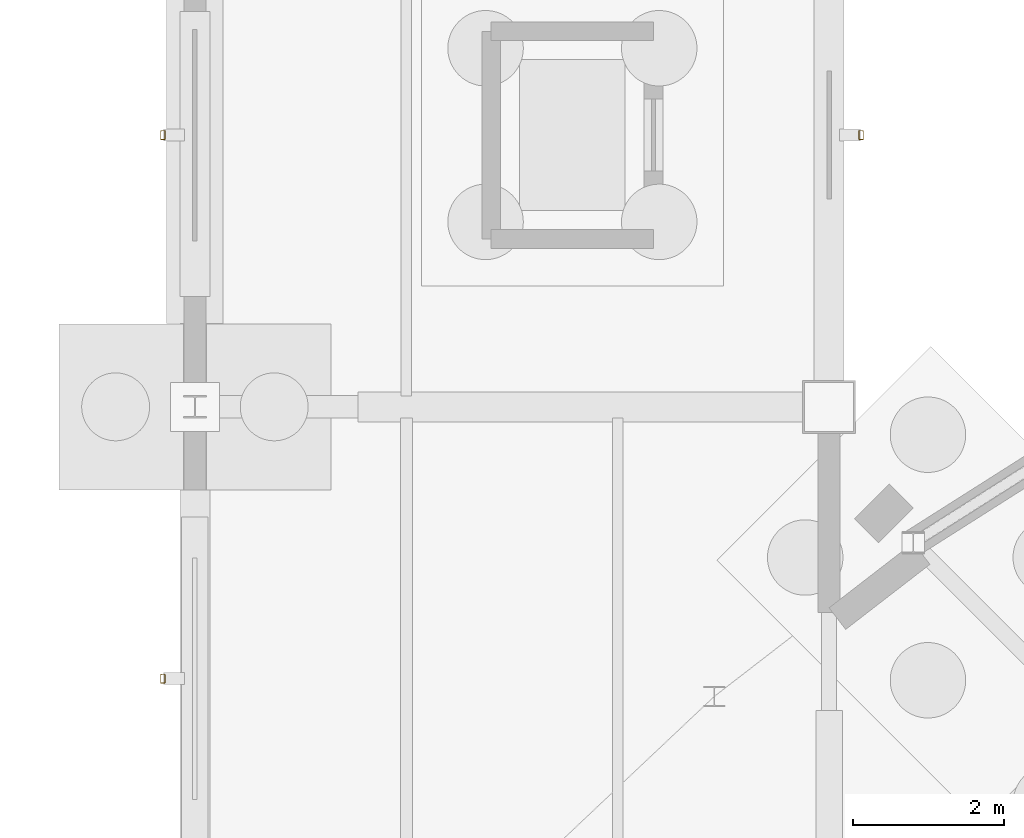
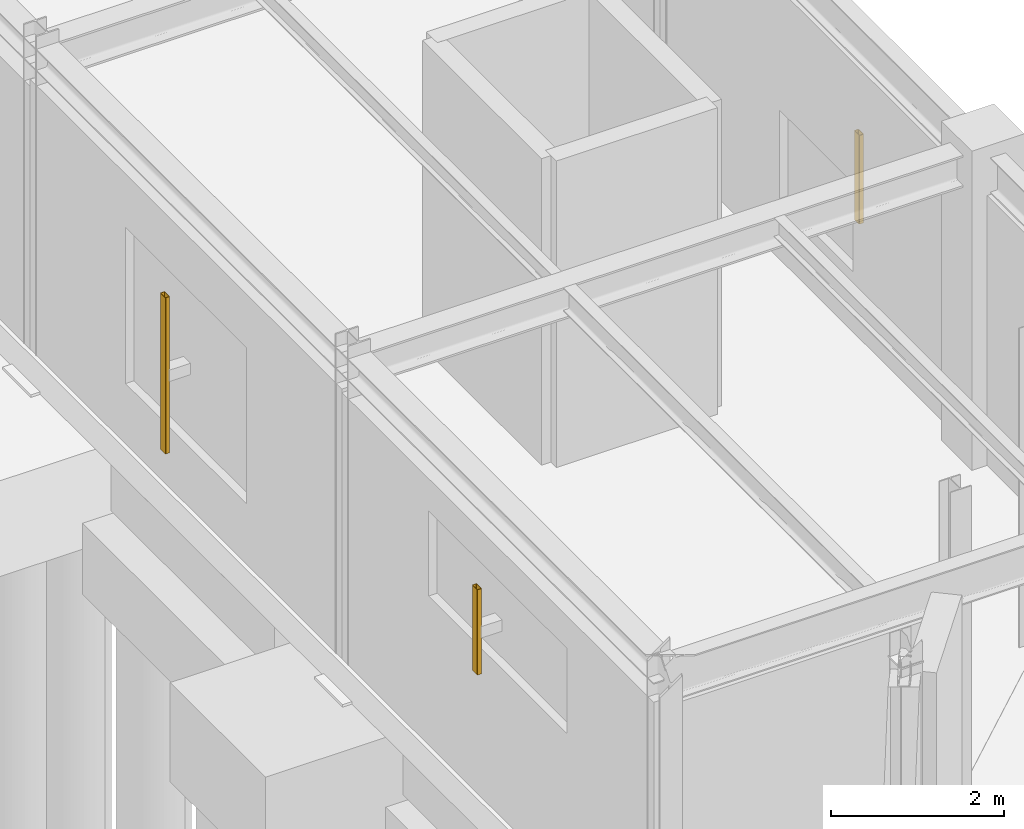
# One storey, part 81 of 93: 3 shading devices.
"""IFC4 building model written with IfcOpenShell, lengths in metres."""

from ifc_helpers import new_model, si_unit, derived_unit, direction, frame, origin, origin_2d, place, context, subcontext, project, spatial, hollow_rectangle, extrude, material, material_profile, profile_set, type_object, element, save


model = new_model("IFC4")

# Units and contexts
model_context = context("Model", 3, precision=1e-05, world=origin(), true_north=direction((0.0, 1.0)))
body_context = subcontext(model_context, "Body", "Model", "MODEL_VIEW")
ifc_project = project(units=[si_unit("LENGTHUNIT", "METRE"), si_unit("AREAUNIT", "SQUARE_METRE"), si_unit("VOLUMEUNIT", "CUBIC_METRE"), si_unit("PLANEANGLEUNIT", "RADIAN"), si_unit("MASSUNIT", "GRAM", prefix="KILO"), derived_unit("THERMALTRANSMITTANCEUNIT", [(si_unit("MASSUNIT", "GRAM", prefix="KILO"), 1), (si_unit("TIMEUNIT", "SECOND"), -3), (si_unit("THERMODYNAMICTEMPERATUREUNIT", "KELVIN"), -1)])], contexts=[model_context])

# Site, building, storey
site_placement = place(None, origin())
site = spatial("IfcSite", under=ifc_project, at=site_placement, CompositionType="ELEMENT")
building_placement = place(site_placement, origin())
building = spatial("IfcBuilding", under=site, at=building_placement, Name="Kharveza Railside Sports Centre", CompositionType="ELEMENT")
storey_placement = place(building_placement, origin())
storey = spatial("IfcBuildingStorey", under=building, at=storey_placement, Name="L00", CompositionType="ELEMENT", Elevation=0.0)

# Shading devices
ifc_material = material(Name="Anodised aluminium 6063-T6", Category="aluminium")
ifc_material_profile = material_profile(ifc_material, hollow_rectangle(XDim=0.06005859375, YDim=0.1201171875, WallThickness=0.0048828125, InnerFilletRadius=0.0048828125, OuterFilletRadius=0.010009765625, at=origin_2d()), Name="RHS 60x120x5.0")
ifc_profile_set = profile_set([ifc_material_profile], Name="Anodised aluminium 6063-T6")
shading_device_type = type_object("IfcShadingDeviceType", Name="SD-LV01", PredefinedType="JALOUSIE", material=ifc_profile_set)
shading_device_1_placement = place(storey_placement, frame((16.375, 75.60009765625, 0.85009765625), z_axis=(0.0, 0.0, 1.0), x_axis=(-1.0, 0.0, 0.0)))
element("IfcShadingDevice", 1, at=shading_device_1_placement, inside=storey, type_object=shading_device_type, Name="SD-FIN-018", PredefinedType="JALOUSIE", context=body_context, shape_type="SweptSolid", body=[
    extrude(hollow_rectangle(XDim=0.06005859375, YDim=0.1201171875, WallThickness=0.0048828125, InnerFilletRadius=0.0048828125, OuterFilletRadius=0.010009765625, at=origin_2d()), origin(), (0.0, 0.0, 1.0), 2.199951171875),
])
shading_device_2_placement = place(storey_placement, frame((16.375, 68.39990234375, 2.10009765625), z_axis=(0.0, 0.0, 1.0), x_axis=(-1.0, 0.0, 0.0)))
element("IfcShadingDevice", 2, at=shading_device_2_placement, inside=storey, type_object=shading_device_type, Name="SD-FIN-019", PredefinedType="JALOUSIE", context=body_context, shape_type="SweptSolid", body=[
    extrude(hollow_rectangle(XDim=0.06005859375, YDim=0.1201171875, WallThickness=0.0048828125, InnerFilletRadius=0.0048828125, OuterFilletRadius=0.010009765625, at=origin_2d()), origin(), (0.0, 0.0, 1.0), 1.199951171875),
])
shading_device_3_placement = place(storey_placement, frame((25.625, 75.60009765625, 0.85009765625), z_axis=(0.0, 0.0, 1.0), x_axis=(1.0, 0.0, 0.0)))
element("IfcShadingDevice", 3, at=shading_device_3_placement, inside=storey, type_object=shading_device_type, Name="SD-FIN-020", PredefinedType="JALOUSIE", context=body_context, shape_type="SweptSolid", body=[
    extrude(hollow_rectangle(XDim=0.06005859375, YDim=0.1201171875, WallThickness=0.0048828125, InnerFilletRadius=0.0048828125, OuterFilletRadius=0.010009765625, at=origin_2d()), origin(), (0.0, 0.0, 1.0), 1.25),
])

save(model, "model.ifc")
